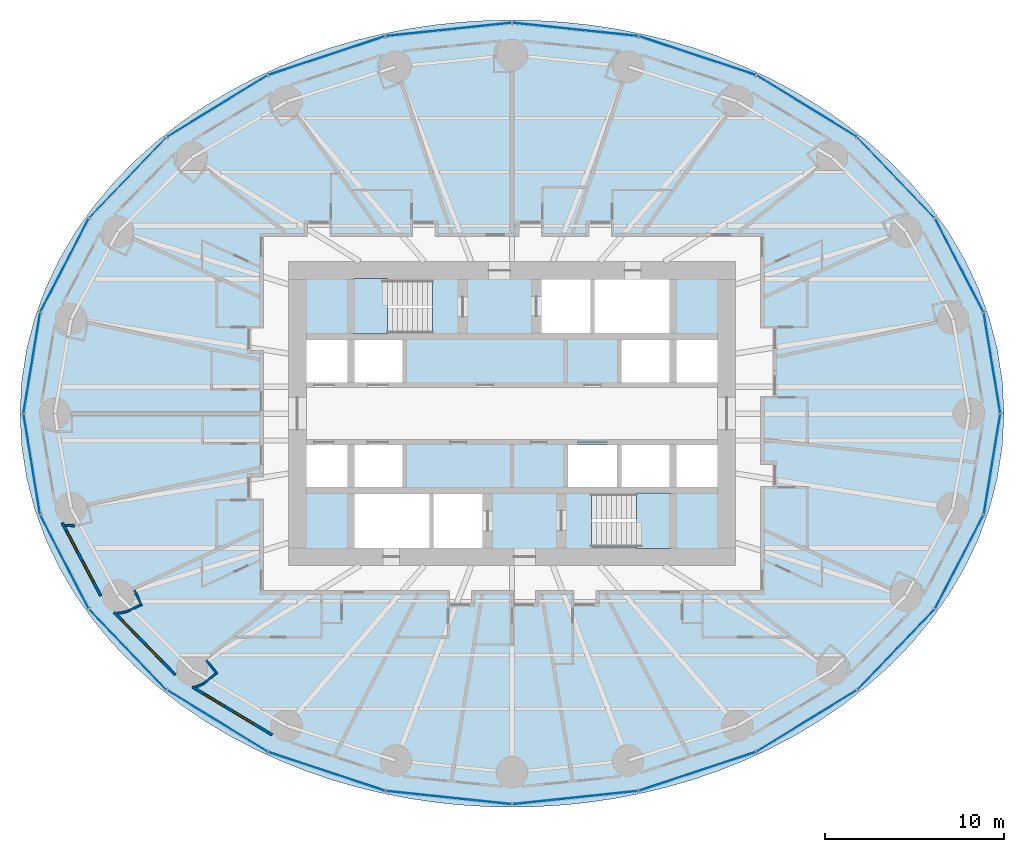
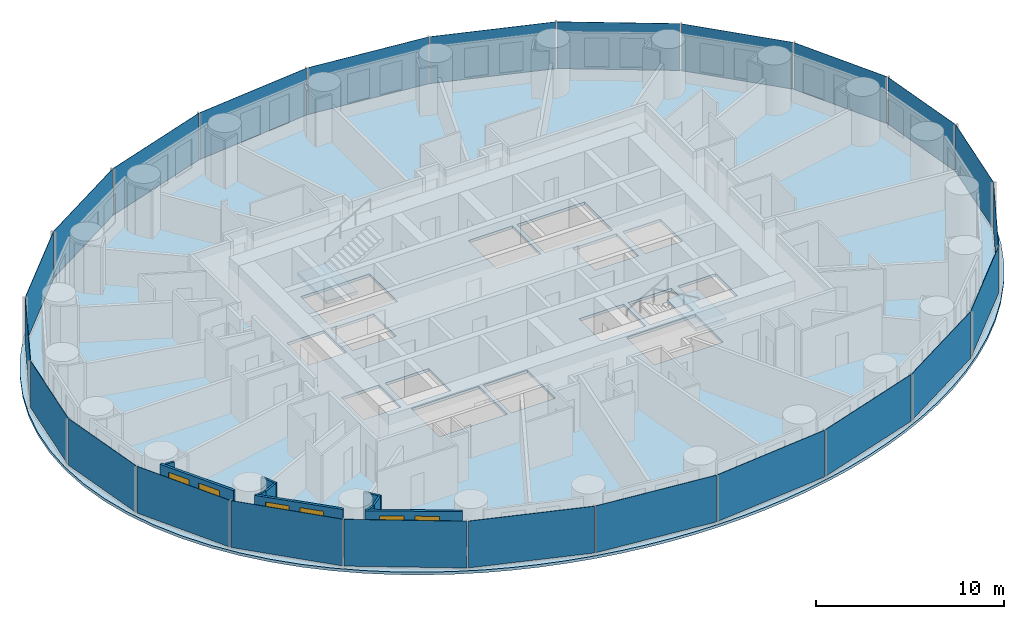
# One storey, part 5 of 14: 24 plates, 10 walls, 6 windows, 3 slabs, 6 openings, 6 elements without a shape of their own.
"""IFC4 building model written with IfcOpenShell, lengths in metres."""

from ifc_helpers import new_model, si_unit, direction, frame, frame_2d, origin, origin_2d, place, context, subcontext, project, spatial, polyline, rectangle, outline, extrude, material, layer, layer_set, type_object, element, fill, aggregate, save


model = new_model("IFC4")

# Units and contexts
model_context = context("Model", 3, precision=1e-05, world=origin(), true_north=direction((0.0, 1.0)))
body_context = subcontext(model_context, "Body", "Model", "MODEL_VIEW")
ifc_project = project(units=[si_unit("LENGTHUNIT", "METRE"), si_unit("AREAUNIT", "SQUARE_METRE"), si_unit("VOLUMEUNIT", "CUBIC_METRE"), si_unit("PLANEANGLEUNIT", "RADIAN"), si_unit("MASSUNIT", "GRAM", prefix="KILO")], contexts=[model_context])

# Site, building, storey
site_placement = place(None, origin())
site = spatial("IfcSite", under=ifc_project, at=site_placement, CompositionType="ELEMENT")
building_placement = place(site_placement, origin())
building = spatial("IfcBuilding", under=site, at=building_placement, Name="Hankou Lantern Tower", CompositionType="ELEMENT")
storey_placement = place(building_placement, frame((0.0, 0.0, 36.0)))
storey = spatial("IfcBuildingStorey", under=building, at=storey_placement, Name="L07", CompositionType="ELEMENT", Elevation=36.0)

# Curtain wall, plates
ifc_material_1 = material(Name="Glass, dark grey tinted laminated", Category="glass")
curtain_wall_type = type_object("IfcCurtainWallType", Name="CWA OUTER SKIN LOW-RISE", PredefinedType="USERDEFINED", material=ifc_material_1)
curtain_wall_1_placement = place(storey_placement, origin())
curtain_wall_1 = element("IfcCurtainWall", 1, at=curtain_wall_1_placement, inside=storey, type_object=curtain_wall_type, Name="CWA L07 OS1", ObjectType="OUTER SKIN LOW-RISE", PredefinedType="USERDEFINED")
ifc_material_2 = material(Name="Glass, dark grey tinted laminated", Category="glass")
ifc_layer_1 = layer(ifc_material_2, 0.02392578125)
ifc_layer_set_1 = layer_set([ifc_layer_1], Name="Glass, dark grey tinted laminated")
plate_type = type_object("IfcPlateType", Name="PN1 OUTER SKIN GLASS PANEL", PredefinedType="CURTAIN_PANEL", material=ifc_layer_set_1)
plate_1_placement = place(storey_placement, frame((26.8349609375, 2.826416015625, 0.080078125), z_axis=(0.0, 0.0, 1.0), x_axis=(-0.162381515188, 0.986728049427, 0.0)))
plate_1 = element("IfcPlate", 2, at=plate_1_placement, type_object=plate_type, Name="CWA glass panel 1", PredefinedType="CURTAIN_PANEL", context=body_context, shape_type="SweptSolid", body=[
    extrude(rectangle(XDim=5.648681640625, YDim=0.02392578125, at=origin_2d()), origin(), (0.0, 0.0, 1.0), 3.0400390625),
])
plate_2_placement = place(storey_placement, frame((25.006103515625, 8.286376953125, 0.080078125), z_axis=(0.0, 0.0, 1.0), x_axis=(-0.459791091957, 0.888027112062, 0.0)))
plate_2 = element("IfcPlate", 3, at=plate_2_placement, type_object=plate_type, Name="CWA glass panel 2", PredefinedType="CURTAIN_PANEL", context=body_context, shape_type="SweptSolid", body=[
    extrude(rectangle(XDim=5.8515625, YDim=0.02392578125, at=origin_2d()), origin(), (0.0, 0.0, 1.0), 3.0400390625),
])
plate_3_placement = place(storey_placement, frame((21.47314453125, 13.181640625, 0.080078125), z_axis=(0.0, 0.0, 1.0), x_axis=(-0.692215809936, 0.721690565599, 0.0)))
plate_3 = element("IfcPlate", 4, at=plate_3_placement, type_object=plate_type, Name="CWA glass panel 3", PredefinedType="CURTAIN_PANEL", context=body_context, shape_type="SweptSolid", body=[
    extrude(rectangle(XDim=6.1875, YDim=0.02392578125, at=origin_2d()), origin(), (0.0, 0.0, 1.0), 3.0400390625),
])
plate_4_placement = place(storey_placement, frame((16.47705078125, 17.1787109375, 0.080078125), z_axis=(0.0, 0.0, 1.0), x_axis=(-0.852237151549, 0.523155653242, 0.0)))
plate_4 = element("IfcPlate", 5, at=plate_4_placement, type_object=plate_type, Name="CWA glass panel 4", PredefinedType="CURTAIN_PANEL", context=body_context, shape_type="SweptSolid", body=[
    extrude(rectangle(XDim=6.554443359375, YDim=0.02392578125, at=origin_2d()), origin(), (0.0, 0.0, 1.0), 3.0400390625),
])
plate_5_placement = place(storey_placement, frame((10.35791015625, 20.0048828125, 0.080078125), z_axis=(0.0, 0.0, 1.0), x_axis=(-0.949240677293, 0.31455068999, 0.0)))
plate_5 = element("IfcPlate", 6, at=plate_5_placement, type_object=plate_type, Name="CWA glass panel 5", PredefinedType="CURTAIN_PANEL", context=body_context, shape_type="SweptSolid", body=[
    extrude(rectangle(XDim=6.856201171875, YDim=0.02392578125, at=origin_2d()), origin(), (0.0, 0.0, 1.0), 3.0400390625),
])
plate_6_placement = place(storey_placement, frame((3.532958984375, 21.468017578125, 0.080078125), z_axis=(0.0, 0.0, 1.0), x_axis=(-0.994499359107, 0.104742659579, 0.0)))
plate_6 = element("IfcPlate", 7, at=plate_6_placement, type_object=plate_type, Name="CWA glass panel 6", PredefinedType="CURTAIN_PANEL", context=body_context, shape_type="SweptSolid", body=[
    extrude(rectangle(XDim=7.02490234375, YDim=0.02392578125, at=origin_2d()), origin(), (0.0, 0.0, 1.0), 3.0400390625),
])
aggregate(curtain_wall_1, [plate_1, plate_2, plate_3, plate_4, plate_5, plate_6])

curtain_wall_2_placement = place(storey_placement, origin())
curtain_wall_2 = element("IfcCurtainWall", 8, at=curtain_wall_2_placement, inside=storey, type_object=curtain_wall_type, Name="CWA L07 OS2", ObjectType="OUTER SKIN LOW-RISE", PredefinedType="USERDEFINED")
plate_7_placement = place(storey_placement, frame((-3.532958984375, 21.468017578125, 0.080078125), z_axis=(0.0, 0.0, 1.0), x_axis=(-0.994499359107, -0.104742659579, 0.0)))
plate_7 = element("IfcPlate", 9, at=plate_7_placement, type_object=plate_type, Name="CWA glass panel 1", PredefinedType="CURTAIN_PANEL", context=body_context, shape_type="SweptSolid", body=[
    extrude(rectangle(XDim=7.02490234375, YDim=0.02392578125, at=origin_2d()), origin(), (0.0, 0.0, 1.0), 3.0400390625),
])
plate_8_placement = place(storey_placement, frame((-10.35791015625, 20.0048828125, 0.080078125), z_axis=(0.0, 0.0, 1.0), x_axis=(-0.949240677293, -0.31455068999, 0.0)))
plate_8 = element("IfcPlate", 10, at=plate_8_placement, type_object=plate_type, Name="CWA glass panel 2", PredefinedType="CURTAIN_PANEL", context=body_context, shape_type="SweptSolid", body=[
    extrude(rectangle(XDim=6.856201171875, YDim=0.02392578125, at=origin_2d()), origin(), (0.0, 0.0, 1.0), 3.0400390625),
])
plate_9_placement = place(storey_placement, frame((-16.47705078125, 17.1787109375, 0.080078125), z_axis=(0.0, 0.0, 1.0), x_axis=(-0.852237151549, -0.523155653242, 0.0)))
plate_9 = element("IfcPlate", 11, at=plate_9_placement, type_object=plate_type, Name="CWA glass panel 3", PredefinedType="CURTAIN_PANEL", context=body_context, shape_type="SweptSolid", body=[
    extrude(rectangle(XDim=6.554443359375, YDim=0.02392578125, at=origin_2d()), origin(), (0.0, 0.0, 1.0), 3.0400390625),
])
plate_10_placement = place(storey_placement, frame((-21.47314453125, 13.181640625, 0.080078125), z_axis=(0.0, 0.0, 1.0), x_axis=(-0.692215809936, -0.721690565599, 0.0)))
plate_10 = element("IfcPlate", 12, at=plate_10_placement, type_object=plate_type, Name="CWA glass panel 4", PredefinedType="CURTAIN_PANEL", context=body_context, shape_type="SweptSolid", body=[
    extrude(rectangle(XDim=6.1875, YDim=0.02392578125, at=origin_2d()), origin(), (0.0, 0.0, 1.0), 3.0400390625),
])
plate_11_placement = place(storey_placement, frame((-25.006103515625, 8.286376953125, 0.080078125), z_axis=(0.0, 0.0, 1.0), x_axis=(-0.459791091957, -0.888027112062, 0.0)))
plate_11 = element("IfcPlate", 13, at=plate_11_placement, type_object=plate_type, Name="CWA glass panel 5", PredefinedType="CURTAIN_PANEL", context=body_context, shape_type="SweptSolid", body=[
    extrude(rectangle(XDim=5.8515625, YDim=0.02392578125, at=origin_2d()), origin(), (0.0, 0.0, 1.0), 3.0400390625),
])
plate_12_placement = place(storey_placement, frame((-26.8349609375, 2.826416015625, 0.080078125), z_axis=(0.0, 0.0, 1.0), x_axis=(-0.162381515188, -0.986728049427, 0.0)))
plate_12 = element("IfcPlate", 14, at=plate_12_placement, type_object=plate_type, Name="CWA glass panel 6", PredefinedType="CURTAIN_PANEL", context=body_context, shape_type="SweptSolid", body=[
    extrude(rectangle(XDim=5.648681640625, YDim=0.02392578125, at=origin_2d()), origin(), (0.0, 0.0, 1.0), 3.0400390625),
])
aggregate(curtain_wall_2, [plate_7, plate_8, plate_9, plate_10, plate_11, plate_12])

curtain_wall_3_placement = place(storey_placement, origin())
curtain_wall_3 = element("IfcCurtainWall", 15, at=curtain_wall_3_placement, inside=storey, type_object=curtain_wall_type, Name="CWA L07 OS3", ObjectType="OUTER SKIN LOW-RISE", PredefinedType="USERDEFINED")
plate_13_placement = place(storey_placement, frame((-26.8349609375, -2.826416015625, 0.080078125), z_axis=(0.0, 0.0, 1.0), x_axis=(0.162381515188, -0.986728049427, 0.0)))
plate_13 = element("IfcPlate", 16, at=plate_13_placement, type_object=plate_type, Name="CWA glass panel 1", PredefinedType="CURTAIN_PANEL", context=body_context, shape_type="SweptSolid", body=[
    extrude(rectangle(XDim=5.648681640625, YDim=0.02392578125, at=origin_2d()), origin(), (0.0, 0.0, 1.0), 3.0400390625),
])
plate_14_placement = place(storey_placement, frame((-25.006103515625, -8.286376953125, 0.080078125), z_axis=(0.0, 0.0, 1.0), x_axis=(0.459791091957, -0.888027112062, 0.0)))
plate_14 = element("IfcPlate", 17, at=plate_14_placement, type_object=plate_type, Name="CWA glass panel 2", PredefinedType="CURTAIN_PANEL", context=body_context, shape_type="SweptSolid", body=[
    extrude(rectangle(XDim=5.8515625, YDim=0.02392578125, at=origin_2d()), origin(), (0.0, 0.0, 1.0), 3.0400390625),
])
plate_15_placement = place(storey_placement, frame((-21.47314453125, -13.181640625, 0.080078125), z_axis=(0.0, 0.0, 1.0), x_axis=(0.692215809936, -0.721690565599, 0.0)))
plate_15 = element("IfcPlate", 18, at=plate_15_placement, type_object=plate_type, Name="CWA glass panel 3", PredefinedType="CURTAIN_PANEL", context=body_context, shape_type="SweptSolid", body=[
    extrude(rectangle(XDim=6.1875, YDim=0.02392578125, at=origin_2d()), origin(), (0.0, 0.0, 1.0), 3.0400390625),
])
plate_16_placement = place(storey_placement, frame((-16.47705078125, -17.1787109375, 0.080078125), z_axis=(0.0, 0.0, 1.0), x_axis=(0.852237151549, -0.523155653242, 0.0)))
plate_16 = element("IfcPlate", 19, at=plate_16_placement, type_object=plate_type, Name="CWA glass panel 4", PredefinedType="CURTAIN_PANEL", context=body_context, shape_type="SweptSolid", body=[
    extrude(rectangle(XDim=6.554443359375, YDim=0.02392578125, at=origin_2d()), origin(), (0.0, 0.0, 1.0), 3.0400390625),
])
plate_17_placement = place(storey_placement, frame((-10.35791015625, -20.0048828125, 0.080078125), z_axis=(0.0, 0.0, 1.0), x_axis=(0.949240677293, -0.31455068999, 0.0)))
plate_17 = element("IfcPlate", 20, at=plate_17_placement, type_object=plate_type, Name="CWA glass panel 5", PredefinedType="CURTAIN_PANEL", context=body_context, shape_type="SweptSolid", body=[
    extrude(rectangle(XDim=6.856201171875, YDim=0.02392578125, at=origin_2d()), origin(), (0.0, 0.0, 1.0), 3.0400390625),
])
plate_18_placement = place(storey_placement, frame((-3.532958984375, -21.468017578125, 0.080078125), z_axis=(0.0, 0.0, 1.0), x_axis=(0.994499359107, -0.104742659579, 0.0)))
plate_18 = element("IfcPlate", 21, at=plate_18_placement, type_object=plate_type, Name="CWA glass panel 6", PredefinedType="CURTAIN_PANEL", context=body_context, shape_type="SweptSolid", body=[
    extrude(rectangle(XDim=7.02490234375, YDim=0.02392578125, at=origin_2d()), origin(), (0.0, 0.0, 1.0), 3.0400390625),
])
aggregate(curtain_wall_3, [plate_13, plate_14, plate_15, plate_16, plate_17, plate_18])

curtain_wall_4_placement = place(storey_placement, origin())
curtain_wall_4 = element("IfcCurtainWall", 22, at=curtain_wall_4_placement, inside=storey, type_object=curtain_wall_type, Name="CWA L07 OS4", ObjectType="OUTER SKIN LOW-RISE", PredefinedType="USERDEFINED")
plate_19_placement = place(storey_placement, frame((3.532958984375, -21.468017578125, 0.080078125), z_axis=(0.0, 0.0, 1.0), x_axis=(0.994499359107, 0.104742659579, 0.0)))
plate_19 = element("IfcPlate", 23, at=plate_19_placement, type_object=plate_type, Name="CWA glass panel 1", PredefinedType="CURTAIN_PANEL", context=body_context, shape_type="SweptSolid", body=[
    extrude(rectangle(XDim=7.02490234375, YDim=0.02392578125, at=origin_2d()), origin(), (0.0, 0.0, 1.0), 3.0400390625),
])
plate_20_placement = place(storey_placement, frame((10.35791015625, -20.0048828125, 0.080078125), z_axis=(0.0, 0.0, 1.0), x_axis=(0.949240677293, 0.31455068999, 0.0)))
plate_20 = element("IfcPlate", 24, at=plate_20_placement, type_object=plate_type, Name="CWA glass panel 2", PredefinedType="CURTAIN_PANEL", context=body_context, shape_type="SweptSolid", body=[
    extrude(rectangle(XDim=6.856201171875, YDim=0.02392578125, at=origin_2d()), origin(), (0.0, 0.0, 1.0), 3.0400390625),
])
plate_21_placement = place(storey_placement, frame((16.47705078125, -17.1787109375, 0.080078125), z_axis=(0.0, 0.0, 1.0), x_axis=(0.852237151549, 0.523155653242, 0.0)))
plate_21 = element("IfcPlate", 25, at=plate_21_placement, type_object=plate_type, Name="CWA glass panel 3", PredefinedType="CURTAIN_PANEL", context=body_context, shape_type="SweptSolid", body=[
    extrude(rectangle(XDim=6.554443359375, YDim=0.02392578125, at=origin_2d()), origin(), (0.0, 0.0, 1.0), 3.0400390625),
])
plate_22_placement = place(storey_placement, frame((21.47314453125, -13.181640625, 0.080078125), z_axis=(0.0, 0.0, 1.0), x_axis=(0.692215809936, 0.721690565599, 0.0)))
plate_22 = element("IfcPlate", 26, at=plate_22_placement, type_object=plate_type, Name="CWA glass panel 4", PredefinedType="CURTAIN_PANEL", context=body_context, shape_type="SweptSolid", body=[
    extrude(rectangle(XDim=6.1875, YDim=0.02392578125, at=origin_2d()), origin(), (0.0, 0.0, 1.0), 3.0400390625),
])
plate_23_placement = place(storey_placement, frame((25.006103515625, -8.286376953125, 0.080078125), z_axis=(0.0, 0.0, 1.0), x_axis=(0.459791091957, 0.888027112062, 0.0)))
plate_23 = element("IfcPlate", 27, at=plate_23_placement, type_object=plate_type, Name="CWA glass panel 5", PredefinedType="CURTAIN_PANEL", context=body_context, shape_type="SweptSolid", body=[
    extrude(rectangle(XDim=5.8515625, YDim=0.02392578125, at=origin_2d()), origin(), (0.0, 0.0, 1.0), 3.0400390625),
])
plate_24_placement = place(storey_placement, frame((26.8349609375, -2.826416015625, 0.080078125), z_axis=(0.0, 0.0, 1.0), x_axis=(0.162381515188, 0.986728049427, 0.0)))
plate_24 = element("IfcPlate", 28, at=plate_24_placement, type_object=plate_type, Name="CWA glass panel 6", PredefinedType="CURTAIN_PANEL", context=body_context, shape_type="SweptSolid", body=[
    extrude(rectangle(XDim=5.648681640625, YDim=0.02392578125, at=origin_2d()), origin(), (0.0, 0.0, 1.0), 3.0400390625),
])
aggregate(curtain_wall_4, [plate_19, plate_20, plate_21, plate_22, plate_23, plate_24])

# Slab
ifc_material_3 = material(Name="Concrete C50", Category="concrete")
ifc_layer_2 = layer(ifc_material_3, 0.179931640625)
ifc_layer_set_2 = layer_set([ifc_layer_2], Name="Concrete C50")
slab_type_1 = type_object("IfcSlabType", Name="S1 CONCRETE FLOOR SLAB 180", PredefinedType="FLOOR", material=ifc_layer_set_2)
slab_1_placement = place(storey_placement, frame((0.0, 0.0, -0.179931640625)))
element("IfcSlab", 29, at=slab_1_placement, inside=storey, type_object=slab_type_1, Name="Floor slab L07", PredefinedType="FLOOR", context=body_context, shape_type="SweptSolid", body=[
    extrude(outline(polyline([(27.5, 0.0), (27.408203125, 1.79638671875), (27.135009765625, 3.572509765625), (26.6875, 5.308349609375), (26.076171875, 6.987060546875), (25.3154296875, 8.593505859375), (24.420654296875, 10.115478515625), (23.40966796875, 11.54443359375), (22.29931640625, 12.87451171875), (21.1064453125, 14.102783203125), (19.846435546875, 15.228759765625), (18.533447265625, 16.25341796875), (17.17919921875, 17.17919921875), (15.794189453125, 18.009765625), (14.38671875, 18.749267578125), (12.964111328125, 19.402099609375), (11.53125, 19.972412109375), (10.09228515625, 20.46484375), (8.650146484375, 20.88330078125), (7.20703125, 21.23095703125), (5.763916015625, 21.51123046875), (4.32177734375, 21.7265625), (2.88037109375, 21.87890625), (1.43994140625, 21.9697265625), (0.0, 22.0), (-1.43994140625, 21.9697265625), (-2.88037109375, 21.87890625), (-4.32177734375, 21.7265625), (-5.763916015625, 21.51123046875), (-7.20703125, 21.23095703125), (-8.650146484375, 20.88330078125), (-10.09228515625, 20.46484375), (-11.53125, 19.972412109375), (-12.964111328125, 19.402099609375), (-14.38671875, 18.749267578125), (-15.794189453125, 18.009765625), (-17.17919921875, 17.17919921875), (-18.533447265625, 16.25341796875), (-19.846435546875, 15.228759765625), (-21.1064453125, 14.102783203125), (-22.29931640625, 12.87451171875), (-23.40966796875, 11.54443359375), (-24.420654296875, 10.115478515625), (-25.3154296875, 8.593505859375), (-26.076171875, 6.987060546875), (-26.6875, 5.308349609375), (-27.135009765625, 3.572509765625), (-27.408203125, 1.79638671875), (-27.5, 0.0), (-27.408203125, -1.79638671875), (-27.135009765625, -3.572509765625), (-26.6875, -5.308349609375), (-26.076171875, -6.987060546875), (-25.3154296875, -8.593505859375), (-24.420654296875, -10.115478515625), (-23.40966796875, -11.54443359375), (-22.29931640625, -12.87451171875), (-21.1064453125, -14.102783203125), (-19.846435546875, -15.228759765625), (-18.533447265625, -16.25341796875), (-17.17919921875, -17.17919921875), (-15.794189453125, -18.009765625), (-14.38671875, -18.749267578125), (-12.964111328125, -19.402099609375), (-11.53125, -19.972412109375), (-10.09228515625, -20.46484375), (-8.650146484375, -20.88330078125), (-7.20703125, -21.23095703125), (-5.763916015625, -21.51123046875), (-4.32177734375, -21.7265625), (-2.88037109375, -21.87890625), (-1.43994140625, -21.9697265625), (0.0, -22.0), (1.43994140625, -21.9697265625), (2.88037109375, -21.87890625), (4.32177734375, -21.7265625), (5.763916015625, -21.51123046875), (7.20703125, -21.23095703125), (8.650146484375, -20.88330078125), (10.09228515625, -20.46484375), (11.53125, -19.972412109375), (12.964111328125, -19.402099609375), (14.38671875, -18.749267578125), (15.794189453125, -18.009765625), (17.17919921875, -17.17919921875), (18.533447265625, -16.25341796875), (19.846435546875, -15.228759765625), (21.1064453125, -14.102783203125), (22.29931640625, -12.87451171875), (23.40966796875, -11.54443359375), (24.420654296875, -10.115478515625), (25.3154296875, -8.593505859375), (26.076171875, -6.987060546875), (26.6875, -5.308349609375), (27.135009765625, -3.572509765625), (27.408203125, -1.79638671875), (27.5, 0.0)]), holes=[polyline([(-11.5, 4.10009765625), (-9.199951171875, 4.10009765625), (-9.199951171875, 1.75), (-11.5, 1.75), (-11.5, 4.10009765625)]), polyline([(-8.800048828125, 4.10009765625), (-6.125, 4.10009765625), (-6.125, 1.75), (-8.800048828125, 1.75), (-8.800048828125, 4.10009765625)]), polyline([(6.125, 4.10009765625), (8.800048828125, 4.10009765625), (8.800048828125, 1.75), (6.125, 1.75), (6.125, 4.10009765625)]), polyline([(9.199951171875, 4.10009765625), (11.5, 4.10009765625), (11.5, 1.75), (9.199951171875, 1.75), (9.199951171875, 4.10009765625)]), polyline([(-11.5, -1.75), (-9.199951171875, -1.75), (-9.199951171875, -4.10009765625), (-11.5, -4.10009765625), (-11.5, -1.75)]), polyline([(-8.800048828125, -1.75), (-6.125, -1.75), (-6.125, -4.10009765625), (-8.800048828125, -4.10009765625), (-8.800048828125, -1.75)]), polyline([(3.125, -1.75), (5.875, -1.75), (5.875, -4.10009765625), (3.125, -4.10009765625), (3.125, -1.75)]), polyline([(6.125, -1.75), (8.800048828125, -1.75), (8.800048828125, -4.10009765625), (6.125, -4.10009765625), (6.125, -1.75)]), polyline([(9.199951171875, -1.75), (11.5, -1.75), (11.5, -4.10009765625), (9.199951171875, -4.10009765625), (9.199951171875, -1.75)]), polyline([(1.64990234375, 7.5), (4.375, 7.5), (4.375, 4.5), (1.64990234375, 4.5), (1.64990234375, 7.5)]), polyline([(-4.375, -4.5), (-1.64990234375, -4.5), (-1.64990234375, -7.5), (-4.375, -7.5), (-4.375, -4.5)]), polyline([(-8.699951171875, 7.449951171875), (-4.449951171875, 7.449951171875), (-4.449951171875, 4.5), (-8.699951171875, 4.5), (-8.699951171875, 7.449951171875)]), polyline([(4.449951171875, -4.5), (8.699951171875, -4.5), (8.699951171875, -7.449951171875), (4.449951171875, -7.449951171875), (4.449951171875, -4.5)]), polyline([(4.625, 7.5), (8.800048828125, 7.5), (8.800048828125, 4.5), (4.625, 4.5), (4.625, 7.5)]), polyline([(-8.800048828125, -4.5), (-4.625, -4.5), (-4.625, -7.5), (-8.800048828125, -7.5), (-8.800048828125, -4.5)])]), origin(), (0.0, 0.0, 1.0), 0.179931640625),
])

# Stair, slab
ifc_material_4 = material(Name="Concrete C40", Category="concrete")
stair_type = type_object("IfcStairType", Name="ST33 CORE STAIR 3300 RISE", PredefinedType="HALF_TURN_STAIR", material=ifc_material_4)
stair_1_placement = place(storey_placement, origin())
stair_1 = element("IfcStair", 30, at=stair_1_placement, inside=storey, type_object=stair_type, Name="Stair STA L07", PredefinedType="HALF_TURN_STAIR")
ifc_material_5 = material(Name="Concrete C40", Category="concrete")
ifc_layer_3 = layer(ifc_material_5, 0.199951171875)
ifc_layer_set_3 = layer_set([ifc_layer_3], Name="Concrete C40")
slab_type_2 = type_object("IfcSlabType", Name="SL1 STAIR LANDING 200", PredefinedType="LANDING", material=ifc_layer_set_3)
slab_2_placement = place(storey_placement, frame((0.0, 0.0, 1.371337890625)))
slab_2 = element("IfcSlab", 31, at=slab_2_placement, type_object=slab_type_2, Name="STA landing 1", PredefinedType="LANDING", context=body_context, shape_type="SweptSolid", body=[
    extrude(outline(polyline([(-8.85009765625, 4.449951171875), (-6.949951171875, 4.449951171875), (-6.949951171875, 7.550048828125), (-8.85009765625, 7.550048828125), (-8.85009765625, 4.449951171875)])), origin(), (0.0, 0.0, 1.0), 0.2001953125),
])
aggregate(stair_1, [slab_2])

stair_2_placement = place(storey_placement, origin())
stair_2 = element("IfcStair", 32, at=stair_2_placement, inside=storey, type_object=stair_type, Name="Stair STB L07", PredefinedType="HALF_TURN_STAIR")
slab_3_placement = place(storey_placement, frame((0.0, 0.0, 1.371337890625)))
slab_3 = element("IfcSlab", 33, at=slab_3_placement, type_object=slab_type_2, Name="STB landing 1", PredefinedType="LANDING", context=body_context, shape_type="SweptSolid", body=[
    extrude(outline(polyline([(8.85009765625, -4.449951171875), (6.949951171875, -4.449951171875), (6.949951171875, -7.550048828125), (8.85009765625, -7.550048828125), (8.85009765625, -4.449951171875)])), origin(), (0.0, 0.0, 1.0), 0.2001953125),
])
aggregate(stair_2, [slab_3])

# Wall, openings, windows
ifc_material_6 = material(Name="Aluminium spandrel panel on steel studs", Category="steel")
ifc_layer_4 = layer(ifc_material_6, 0.14990234375)
ifc_layer_set_4 = layer_set([ifc_layer_4], Name="Aluminium spandrel panel on steel studs")
wall_type_1 = type_object("IfcWallType", Name="EW1 INNER SKIN WALL 150", PredefinedType="ELEMENTEDWALL", material=ifc_layer_set_4)
wall_1_placement = place(storey_placement, frame((-25.138671875, -6.11279296875, 0.0), z_axis=(0.0, 0.0, 1.0), x_axis=(0.467303182954, -0.884097129959, 0.0)))
wall_1 = element("IfcWall", 34, at=wall_1_placement, inside=storey, type_object=wall_type_1, Name="Inner skin R14-R15 L07", PredefinedType="ELEMENTEDWALL", context=body_context, shape_type="SweptSolid", body=[
    extrude(rectangle(XDim=4.6064453125, YDim=0.14990234375, at=frame_2d((2.30322265625, 0.0))), origin(), (0.0, 0.0, 1.0), 3.1201171875),
])
opening_1_placement = place(wall_1_placement, frame((0.531494140625, 0.0, 0.89990234375)))
opening_1 = element("IfcOpeningElement", 35, at=opening_1_placement, cuts=wall_1, Name="Opening W9", PredefinedType="OPENING", context=body_context, shape_type="SweptSolid", body=[
    extrude(rectangle(XDim=1.300048828125, YDim=1.89990234375, at=frame_2d((0.64990234375, 0.949951171875))), frame((0.0, 0.0849609375, 0.0), z_axis=(0.0, -1.0, 0.0), x_axis=(1.0, 0.0, 0.0)), (0.0, 0.0, 1.0), 0.169921875),
])
opening_2_placement = place(wall_1_placement, frame((2.431640625, 0.0, 0.89990234375)))
opening_2 = element("IfcOpeningElement", 36, at=opening_2_placement, cuts=wall_1, Name="Opening W9", PredefinedType="OPENING", context=body_context, shape_type="SweptSolid", body=[
    extrude(rectangle(XDim=1.300048828125, YDim=1.89990234375, at=frame_2d((0.64990234375, 0.949951171875))), frame((0.0, 0.0849609375, 0.0), z_axis=(0.0, -1.0, 0.0), x_axis=(1.0, 0.0, 0.0)), (0.0, 0.0, 1.0), 0.169921875),
])
ifc_material_7 = material(Name="Aluminium framed double glazed window", Category="aluminium")
window_type = type_object("IfcWindowType", Name="W9 GUEST ROOM WINDOW 1300X1900", PartitioningType="DOUBLE_PANEL_VERTICAL", PredefinedType="WINDOW", material=ifc_material_7)
window_1_placement = place(opening_1_placement, origin())
window_1 = element("IfcWindow", 37, at=window_1_placement, inside=storey, type_object=window_type, Name="Window R14.1 L07", OverallHeight=1.89990234375, OverallWidth=1.300048828125, PartitioningType="SINGLE_PANEL", PredefinedType="WINDOW", context=body_context, shape_type="SweptSolid", body=[
    extrude(rectangle(XDim=1.300048828125, YDim=1.89990234375, at=frame_2d((0.64990234375, 0.949951171875))), frame((0.0, 0.030029296875, 0.0), z_axis=(0.0, -1.0, 0.0), x_axis=(1.0, 0.0, 0.0)), (0.0, 0.0, 1.0), 0.06005859375),
])
fill(opening_1, window_1)
window_2_placement = place(opening_2_placement, origin())
window_2 = element("IfcWindow", 38, at=window_2_placement, inside=storey, type_object=window_type, Name="Window R14.2 L07", OverallHeight=1.89990234375, OverallWidth=1.300048828125, PartitioningType="SINGLE_PANEL", PredefinedType="WINDOW", context=body_context, shape_type="SweptSolid", body=[
    extrude(rectangle(XDim=1.300048828125, YDim=1.89990234375, at=frame_2d((0.64990234375, 0.949951171875))), frame((0.0, 0.030029296875, 0.0), z_axis=(0.0, -1.0, 0.0), x_axis=(1.0, 0.0, 0.0)), (0.0, 0.0, 1.0), 0.06005859375),
])
fill(opening_2, window_2)

wall_2_placement = place(storey_placement, frame((-22.23876953125, -11.1083984375, 0.0), z_axis=(0.0, 0.0, 1.0), x_axis=(0.699612594083, -0.714522370679, 0.0)))
wall_2 = element("IfcWall", 39, at=wall_2_placement, inside=storey, type_object=wall_type_1, Name="Inner skin R15-R16 L07", PredefinedType="ELEMENTEDWALL", context=body_context, shape_type="SweptSolid", body=[
    extrude(rectangle(XDim=4.89599609375, YDim=0.14990234375, at=frame_2d((2.447998046875, 0.0))), origin(), (0.0, 0.0, 1.0), 3.1201171875),
])
opening_3_placement = place(wall_2_placement, frame((0.619140625, 0.0, 0.89990234375)))
opening_3 = element("IfcOpeningElement", 40, at=opening_3_placement, cuts=wall_2, Name="Opening W9", PredefinedType="OPENING", context=body_context, shape_type="SweptSolid", body=[
    extrude(rectangle(XDim=1.300048828125, YDim=1.89990234375, at=frame_2d((0.64990234375, 0.949951171875))), frame((0.0, 0.0849609375, 0.0), z_axis=(0.0, -1.0, 0.0), x_axis=(1.0, 0.0, 0.0)), (0.0, 0.0, 1.0), 0.169921875),
])
opening_4_placement = place(wall_2_placement, frame((2.51904296875, 0.0, 0.89990234375)))
opening_4 = element("IfcOpeningElement", 41, at=opening_4_placement, cuts=wall_2, Name="Opening W9", PredefinedType="OPENING", context=body_context, shape_type="SweptSolid", body=[
    extrude(rectangle(XDim=1.300048828125, YDim=1.89990234375, at=frame_2d((0.64990234375, 0.949951171875))), frame((0.0, 0.0849609375, 0.0), z_axis=(0.0, -1.0, 0.0), x_axis=(1.0, 0.0, 0.0)), (0.0, 0.0, 1.0), 0.169921875),
])
window_3_placement = place(opening_3_placement, origin())
window_3 = element("IfcWindow", 42, at=window_3_placement, inside=storey, type_object=window_type, Name="Window R15.1 L07", OverallHeight=1.89990234375, OverallWidth=1.300048828125, PartitioningType="SINGLE_PANEL", PredefinedType="WINDOW", context=body_context, shape_type="SweptSolid", body=[
    extrude(rectangle(XDim=1.300048828125, YDim=1.89990234375, at=frame_2d((0.64990234375, 0.949951171875))), frame((0.0, 0.030029296875, 0.0), z_axis=(0.0, -1.0, 0.0), x_axis=(1.0, 0.0, 0.0)), (0.0, 0.0, 1.0), 0.06005859375),
])
fill(opening_3, window_3)
window_4_placement = place(opening_4_placement, origin())
window_4 = element("IfcWindow", 43, at=window_4_placement, inside=storey, type_object=window_type, Name="Window R15.2 L07", OverallHeight=1.89990234375, OverallWidth=1.300048828125, PartitioningType="SINGLE_PANEL", PredefinedType="WINDOW", context=body_context, shape_type="SweptSolid", body=[
    extrude(rectangle(XDim=1.300048828125, YDim=1.89990234375, at=frame_2d((0.64990234375, 0.949951171875))), frame((0.0, 0.030029296875, 0.0), z_axis=(0.0, -1.0, 0.0), x_axis=(1.0, 0.0, 0.0)), (0.0, 0.0, 1.0), 0.06005859375),
])
fill(opening_4, window_4)

wall_3_placement = place(storey_placement, frame((-17.869384765625, -15.276611328125, 0.0), z_axis=(0.0, 0.0, 1.0), x_axis=(0.856958191554, -0.515385931054, 0.0)))
wall_3 = element("IfcWall", 44, at=wall_3_placement, inside=storey, type_object=wall_type_1, Name="Inner skin R16-R17 L07", PredefinedType="ELEMENTEDWALL", context=body_context, shape_type="SweptSolid", body=[
    extrude(rectangle(XDim=5.201171875, YDim=0.14990234375, at=frame_2d((2.6005859375, 0.0))), origin(), (0.0, 0.0, 1.0), 3.1201171875),
])
opening_5_placement = place(wall_3_placement, frame((0.7763671875, 0.0, 0.89990234375)))
opening_5 = element("IfcOpeningElement", 45, at=opening_5_placement, cuts=wall_3, Name="Opening W9", PredefinedType="OPENING", context=body_context, shape_type="SweptSolid", body=[
    extrude(rectangle(XDim=1.300048828125, YDim=1.89990234375, at=frame_2d((0.64990234375, 0.949951171875))), frame((0.0, 0.0849609375, 0.0), z_axis=(0.0, -1.0, 0.0), x_axis=(1.0, 0.0, 0.0)), (0.0, 0.0, 1.0), 0.169921875),
])
opening_6_placement = place(wall_3_placement, frame((2.67626953125, 0.0, 0.89990234375)))
opening_6 = element("IfcOpeningElement", 46, at=opening_6_placement, cuts=wall_3, Name="Opening W9", PredefinedType="OPENING", context=body_context, shape_type="SweptSolid", body=[
    extrude(rectangle(XDim=1.300048828125, YDim=1.89990234375, at=frame_2d((0.64990234375, 0.949951171875))), frame((0.0, 0.0849609375, 0.0), z_axis=(0.0, -1.0, 0.0), x_axis=(1.0, 0.0, 0.0)), (0.0, 0.0, 1.0), 0.169921875),
])
window_5_placement = place(opening_5_placement, origin())
window_5 = element("IfcWindow", 47, at=window_5_placement, inside=storey, type_object=window_type, Name="Window R16.1 L07", OverallHeight=1.89990234375, OverallWidth=1.300048828125, PartitioningType="SINGLE_PANEL", PredefinedType="WINDOW", context=body_context, shape_type="SweptSolid", body=[
    extrude(rectangle(XDim=1.300048828125, YDim=1.89990234375, at=frame_2d((0.64990234375, 0.949951171875))), frame((0.0, 0.030029296875, 0.0), z_axis=(0.0, -1.0, 0.0), x_axis=(1.0, 0.0, 0.0)), (0.0, 0.0, 1.0), 0.06005859375),
])
fill(opening_5, window_5)
window_6_placement = place(opening_6_placement, origin())
window_6 = element("IfcWindow", 48, at=window_6_placement, inside=storey, type_object=window_type, Name="Window R16.2 L07", OverallHeight=1.89990234375, OverallWidth=1.300048828125, PartitioningType="SINGLE_PANEL", PredefinedType="WINDOW", context=body_context, shape_type="SweptSolid", body=[
    extrude(rectangle(XDim=1.300048828125, YDim=1.89990234375, at=frame_2d((0.64990234375, 0.949951171875))), frame((0.0, 0.030029296875, 0.0), z_axis=(0.0, -1.0, 0.0), x_axis=(1.0, 0.0, 0.0)), (0.0, 0.0, 1.0), 0.06005859375),
])
fill(opening_6, window_6)

# Walls
ifc_material_8 = material(Name="Masonry lightweight concrete block", Category="masonry")
ifc_layer_5 = layer(ifc_material_8, 0.1201171875)
ifc_layer_set_5 = layer_set([ifc_layer_5], Name="Masonry lightweight concrete block")
wall_type_2 = type_object("IfcWallType", Name="IW4 PARTITION 120", PredefinedType="PARTITIONING", material=ifc_layer_set_5)
wall_4_placement = place(storey_placement, frame((-24.434326171875, -6.275390625, 0.0), z_axis=(0.0, 0.0, 1.0), x_axis=(-0.998714959873, 0.050679669751, 0.0)))
element("IfcWall", 49, at=wall_4_placement, inside=storey, type_object=wall_type_2, Name="Column casing R14", PredefinedType="PARTITIONING", context=body_context, shape_type="SweptSolid", body=[
    extrude(rectangle(XDim=0.525146484375, YDim=0.1201171875, at=frame_2d((0.2626953125, 0.0))), origin(), (0.0, 0.0, 1.0), 3.1201171875),
])
wall_5_placement = place(storey_placement, frame((-21.105712890625, -9.8583984375, 0.0), z_axis=(0.0, 0.0, 1.0), x_axis=(0.419344098106, -0.907827366509, 0.0)))
element("IfcWall", 50, at=wall_5_placement, inside=storey, type_object=wall_type_2, Name="Column casing R15 return", PredefinedType="PARTITIONING", context=body_context, shape_type="SweptSolid", body=[
    extrude(rectangle(XDim=0.974609375, YDim=0.1201171875, at=frame_2d((0.4873046875, 0.0))), origin(), (0.0, 0.0, 1.0), 3.1201171875),
])
wall_6_placement = place(storey_placement, frame((-20.776611328125, -10.7138671875, 0.0), z_axis=(0.0, 0.0, 1.0), x_axis=(-0.907832324198, -0.419333365166, 0.0)))
element("IfcWall", 51, at=wall_6_placement, inside=storey, type_object=wall_type_2, Name="Column casing R15", PredefinedType="PARTITIONING", context=body_context, shape_type="SweptSolid", body=[
    extrude(rectangle(XDim=0.900146484375, YDim=0.1201171875, at=frame_2d((0.4501953125, 0.0))), origin(), (0.0, 0.0, 1.0), 3.1201171875),
])
wall_7_placement = place(storey_placement, frame((-21.59375, -11.09130859375, 0.0), z_axis=(0.0, 0.0, 1.0), x_axis=(-0.985483306792, -0.169772353566, 0.0)))
element("IfcWall", 52, at=wall_7_placement, inside=storey, type_object=wall_type_2, Name="Column casing R15", PredefinedType="PARTITIONING", context=body_context, shape_type="SweptSolid", body=[
    extrude(rectangle(XDim=0.486083984375, YDim=0.1201171875, at=frame_2d((0.2431640625, 0.0))), origin(), (0.0, 0.0, 1.0), 3.1201171875),
])
wall_8_placement = place(storey_placement, frame((-17.07958984375, -13.791748046875, 0.0), z_axis=(0.0, 0.0, 1.0), x_axis=(0.624756144097, -0.780819928289, 0.0)))
element("IfcWall", 53, at=wall_8_placement, inside=storey, type_object=wall_type_2, Name="Column casing R16 return", PredefinedType="PARTITIONING", context=body_context, shape_type="SweptSolid", body=[
    extrude(rectangle(XDim=0.974609375, YDim=0.1201171875, at=frame_2d((0.4873046875, 0.0))), origin(), (0.0, 0.0, 1.0), 3.1201171875),
])
wall_9_placement = place(storey_placement, frame((-16.55517578125, -14.54345703125, 0.0), z_axis=(0.0, 0.0, 1.0), x_axis=(-0.780789399477, -0.62479429708, 0.0)))
element("IfcWall", 54, at=wall_9_placement, inside=storey, type_object=wall_type_2, Name="Column casing R16", PredefinedType="PARTITIONING", context=body_context, shape_type="SweptSolid", body=[
    extrude(rectangle(XDim=0.89990234375, YDim=0.1201171875, at=frame_2d((0.449951171875, 0.0))), origin(), (0.0, 0.0, 1.0), 3.1201171875),
])
wall_10_placement = place(storey_placement, frame((-17.2578125, -15.105712890625, 0.0), z_axis=(0.0, 0.0, 1.0), x_axis=(-0.916098562583, -0.400953143937, 0.0)))
element("IfcWall", 55, at=wall_10_placement, inside=storey, type_object=wall_type_2, Name="Column casing R16", PredefinedType="PARTITIONING", context=body_context, shape_type="SweptSolid", body=[
    extrude(rectangle(XDim=0.476806640625, YDim=0.1201171875, at=frame_2d((0.23828125, 0.0))), origin(), (0.0, 0.0, 1.0), 3.1201171875),
])

save(model, "model.ifc")
